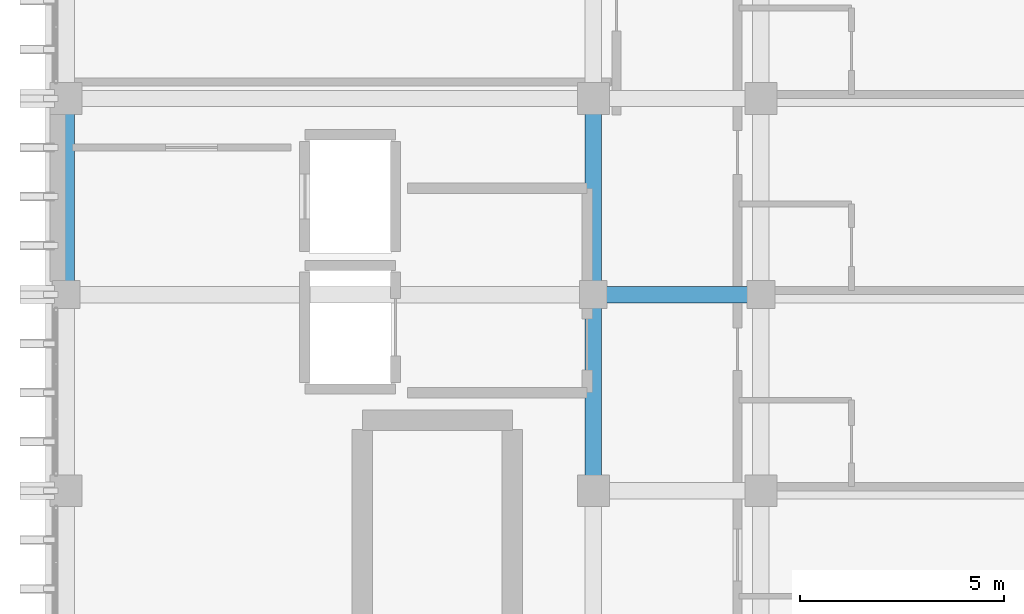
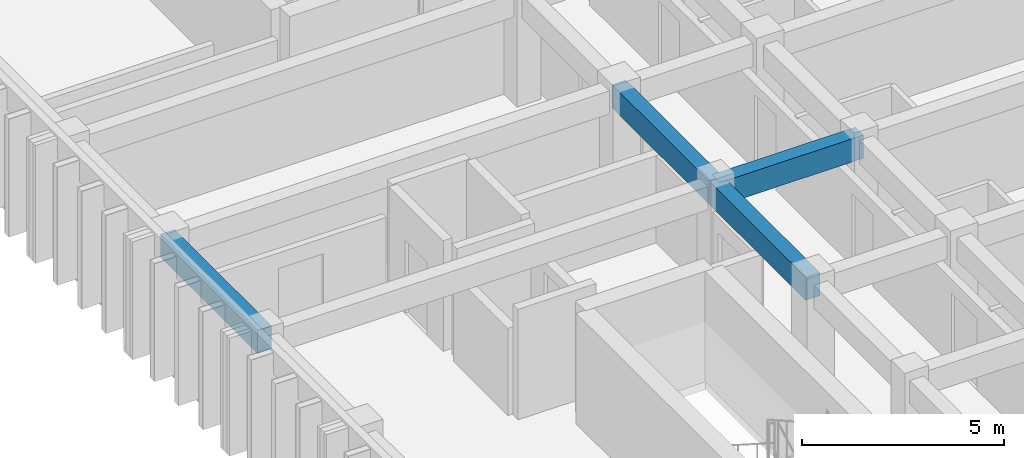
# One storey, part 35 of 68: 4 beams.
"""IFC4 building model written with IfcOpenShell, lengths in metres."""

from ifc_helpers import new_model, si_unit, direction, frame, origin, origin_2d, place, context, subcontext, project, spatial, rectangle, extrude, material, material_profile, profile_set, type_object, element, save


model = new_model("IFC4")

# Units and contexts
model_context = context("Model", 3, precision=1e-05, world=origin(), true_north=direction((0.0, 1.0)))
body_context = subcontext(model_context, "Body", "Model", "MODEL_VIEW")
ifc_project = project(units=[si_unit("LENGTHUNIT", "METRE"), si_unit("AREAUNIT", "SQUARE_METRE"), si_unit("VOLUMEUNIT", "CUBIC_METRE"), si_unit("PLANEANGLEUNIT", "RADIAN"), si_unit("MASSUNIT", "GRAM", prefix="KILO")], contexts=[model_context])

# Site, building, storey
site_placement = place(None, origin())
site = spatial("IfcSite", under=ifc_project, at=site_placement, CompositionType="ELEMENT")
building_placement = place(site_placement, origin())
building = spatial("IfcBuilding", under=site, at=building_placement, Name="Nakhvara Creek Congress Hotel", CompositionType="ELEMENT")
storey_placement = place(building_placement, frame((0.0, 0.0, 24.60009765625)))
storey = spatial("IfcBuildingStorey", under=building, at=storey_placement, Name="L05", CompositionType="ELEMENT", Elevation=24.60009765625)

# Beams
ifc_material = material(Name="Concrete C40/50", Category="concrete")
ifc_material_profile = material_profile(ifc_material, rectangle(XDim=0.39990234375, YDim=0.699951171875, at=origin_2d()), Name="RC-BM 400x700", Category="LoadBearing")
ifc_profile_set = profile_set([ifc_material_profile], Name="Concrete C40/50")
beam_type = type_object("IfcBeamType", Name="BM-RC-400X700", PredefinedType="BEAM", material=ifc_profile_set)
for number, where, z_axis, x_axis, name in (
    (1, (149.449951171875, 91.199951171875, 2.989990234375), (0.0, 1.0, 0.0), (-1.0, 0.0, 0.0), "Beam B05-L05-2078"),
    (2, (162.35009765625, 86.39990234375, 2.989990234375), (0.0, 1.0, 0.0), (-1.0, 0.0, 0.0), "Beam B05-L05-2106"),
    (3, (162.35009765625, 91.199951171875, 2.989990234375), (0.0, 1.0, 0.0), (-1.0, 0.0, 0.0), "Beam B05-L05-2108"),
):
    element("IfcBeam", number, at=place(storey_placement, frame(where, z_axis=z_axis, x_axis=x_axis)), inside=storey, type_object=beam_type, Name=name, PredefinedType="BEAM", context=body_context, shape_type="SweptSolid", body=[
        extrude(rectangle(XDim=0.39990234375, YDim=0.699951171875, at=origin_2d()), origin(), (0.0, 0.0, 1.0), 4.800048828125),
    ])
beam_placement = place(storey_placement, frame((162.35009765625, 91.199951171875, 2.989990234375), z_axis=(1.0, 0.0, 0.0), x_axis=(0.0, 1.0, 0.0)))
element("IfcBeam", 4, at=beam_placement, inside=storey, type_object=beam_type, Name="Beam B05-L05-2181", PredefinedType="BEAM", context=body_context, shape_type="SweptSolid", body=[
    extrude(rectangle(XDim=0.39990234375, YDim=0.699951171875, at=origin_2d()), origin(), (0.0, 0.0, 1.0), 4.099853515625),
])

save(model, "model.ifc")
